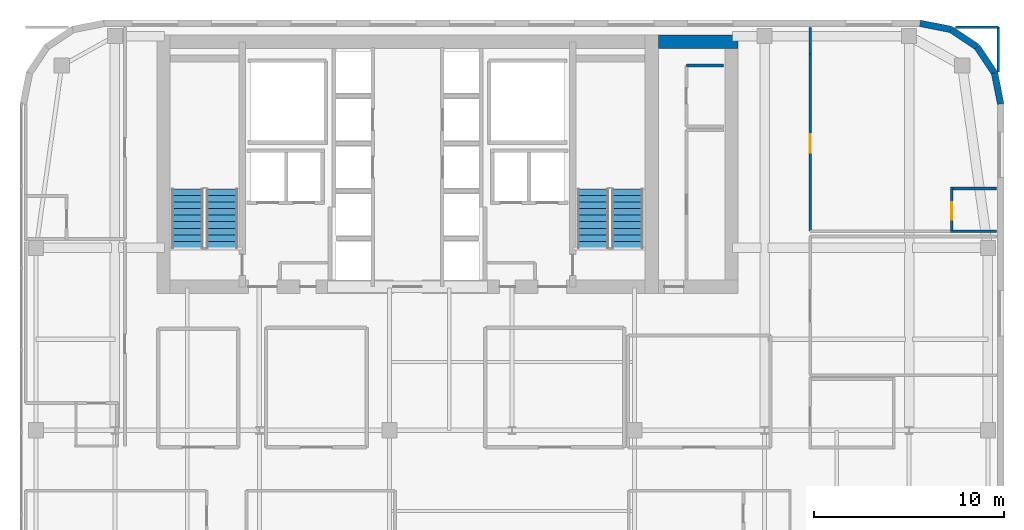
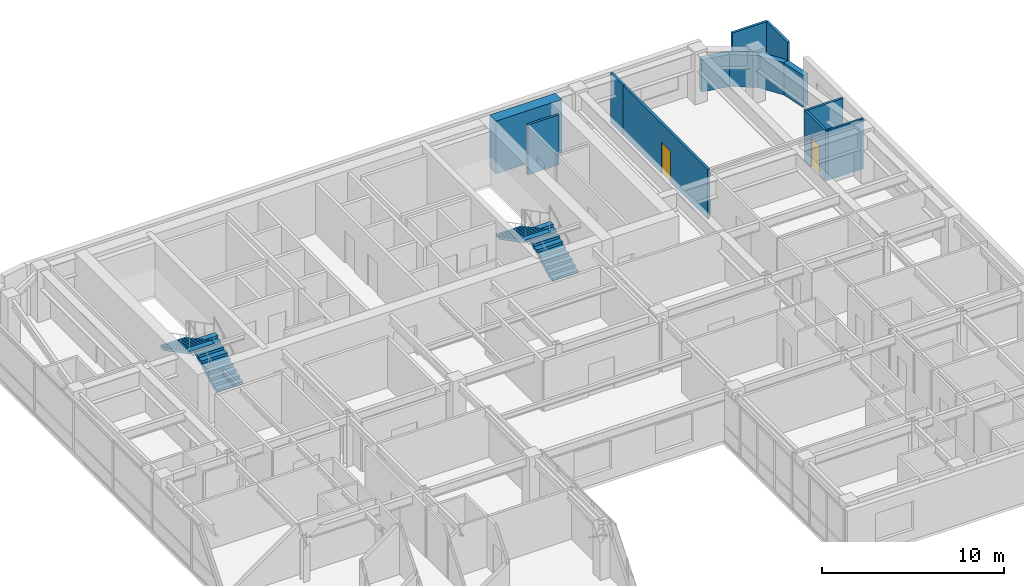
# One storey, part 23 of 24: 13 walls, 4 stair flights, 2 doors, 2 openings, 2 elements without a shape of their own.
"""IFC4 building model written with IfcOpenShell, lengths in metres."""

from ifc_helpers import new_model, si_unit, direction, frame, frame_2d, origin, place, context, subcontext, project, spatial, polyline, rectangle, outline, extrude, source, transform, mapped, material, layer, layer_set, type_object, type_shapes, element, fill, aggregate, save


model = new_model("IFC4")

# Units and contexts
model_context = context("Model", 3, precision=1e-05, world=origin(), true_north=direction((0.0, 1.0)))
body_context = subcontext(model_context, "Body", "Model", "MODEL_VIEW")
ifc_project = project(units=[si_unit("LENGTHUNIT", "METRE"), si_unit("AREAUNIT", "SQUARE_METRE"), si_unit("VOLUMEUNIT", "CUBIC_METRE"), si_unit("PLANEANGLEUNIT", "RADIAN"), si_unit("MASSUNIT", "GRAM", prefix="KILO")], contexts=[model_context])

# Site, building, storey
site_placement = place(None, origin())
site = spatial("IfcSite", under=ifc_project, at=site_placement, CompositionType="ELEMENT")
building_placement = place(site_placement, origin())
building = spatial("IfcBuilding", under=site, at=building_placement, Name="Tolvann Quenvar Hotel", CompositionType="ELEMENT")
storey_placement = place(building_placement, frame((0.0, 0.0, 157.699951171875)))
storey = spatial("IfcBuildingStorey", under=building, at=storey_placement, Name="L41", CompositionType="ELEMENT", Elevation=157.699951171875)

# Walls
ifc_material_1 = material(Name="Concrete S65 (65 MPa)", Category="concrete")
ifc_layer_1 = layer(ifc_material_1, 0.699951171875)
ifc_layer_set_1 = layer_set([ifc_layer_1], Name="Concrete S65 (65 MPa)")
wall_type_1 = type_object("IfcWallType", Name="WALL_CORE_700", PredefinedType="SHEAR", material=ifc_layer_set_1)
wall_1_placement = place(storey_placement, frame((36.199951171875, 44.85009765625, 0.0), z_axis=(0.0, 0.0, 1.0), x_axis=(1.0, 0.0, 0.0)))
element("IfcWall", 1, at=wall_1_placement, inside=storey, type_object=wall_type_1, Name="Core East Annex Shear Wall ANN-N (L41)", PredefinedType="SHEAR", context=body_context, shape_type="SweptSolid", body=[
    extrude(rectangle(XDim=4.199951171875, YDim=0.699951171875, at=frame_2d((2.10009765625, 0.0))), origin(), (0.0, 0.0, 1.0), 3.550048828125),
])
ifc_material_2 = material(Name="Kiln-fired red and buff architectural clay brickwork and terracotta masonry", Category="masonry")
ifc_layer_2 = layer(ifc_material_2, 0.35009765625)
ifc_layer_set_2 = layer_set([ifc_layer_2], Name="Kiln-fired red and buff architectural clay brickwork and terracotta masonry")
wall_type_2 = type_object("IfcWallType", Name="WALL_EXT_BRICK_350", PredefinedType="SOLIDWALL", material=ifc_layer_set_2)
wall_2_placement = place(storey_placement, frame((54.22509765625, 41.582763671875, 0.0), z_axis=(0.0, 0.0, 1.0), x_axis=(-0.195044345786, 0.980794424524, 0.0)))
element("IfcWall", 2, at=wall_2_placement, inside=storey, type_object=wall_type_2, Name="Exterior Chicago Brick Wall L41-E14", PredefinedType="SOLIDWALL", context=body_context, shape_type="SweptSolid", body=[
    extrude(rectangle(XDim=1.664794921875, YDim=0.35009765625, at=frame_2d((0.83251953125, 0.0))), origin(), (0.0, 0.0, 1.0), 2.16015625),
])
for number, where, z_axis, x_axis, name in (
    (3, (53.900390625, 43.215576171875, 0.0), (0.0, 0.0, 1.0), (-0.555623290322, 0.831434158098, 0.0), "Exterior Chicago Brick Wall L41-E15"),
    (4, (52.985107421875, 44.585205078125, 0.0), (0.0, 0.0, 1.0), (-0.831502623162, 0.555520825599, 0.0), "Exterior Chicago Brick Wall L41-E16"),
):
    element("IfcWall", number, at=place(storey_placement, frame(where, z_axis=z_axis, x_axis=x_axis)), inside=storey, type_object=wall_type_2, Name=name, PredefinedType="SOLIDWALL", context=body_context, shape_type="SweptSolid", body=[
        extrude(rectangle(XDim=1.647216796875, YDim=0.35009765625, at=frame_2d((0.82373046875, 0.0))), origin(), (0.0, 0.0, 1.0), 2.16015625),
    ])
wall_3_placement = place(storey_placement, frame((51.615478515625, 45.500244140625, 0.0), z_axis=(0.0, 0.0, 1.0), x_axis=(-0.980788844421, 0.195072403631, 0.0)))
element("IfcWall", 5, at=wall_3_placement, inside=storey, type_object=wall_type_2, Name="Exterior Chicago Brick Wall L41-E17", PredefinedType="SOLIDWALL", context=body_context, shape_type="SweptSolid", body=[
    extrude(rectangle(XDim=1.66455078125, YDim=0.35009765625, at=frame_2d((0.832275390625, 0.0))), origin(), (0.0, 0.0, 1.0), 2.16015625),
])
ifc_material_3 = material(Name="Moisture-resistant acoustic plumbing wall assembly")
ifc_layer_3 = layer(ifc_material_3, 0.1201171875)
ifc_layer_set_3 = layer_set([ifc_layer_3], Name="Moisture-resistant acoustic plumbing wall assembly")
wall_type_3 = type_object("IfcWallType", Name="WALL_PART_BATH_120", PredefinedType="PLUMBINGWALL", material=ifc_layer_set_3)
wall_4_placement = place(storey_placement, frame((51.580078125, 34.8798828125, 0.0), z_axis=(0.0, 0.0, 1.0), x_axis=(1.0, 0.0, 0.0)))
element("IfcWall", 6, at=wall_4_placement, inside=storey, type_object=wall_type_3, Name="Non-Rated Plumbing Partition PT-SPC-L41-ENS-NE01-S", PredefinedType="PLUMBINGWALL", context=body_context, shape_type="SweptSolid", body=[
    extrude(rectangle(XDim=2.4150390625, YDim=0.1201171875, at=frame_2d((1.20751953125, 0.0))), origin(), (0.0, 0.0, 1.0), 3.3701171875),
])

# Wall, opening, door
ifc_material_4 = material(Name="Acoustic twin-stud fire-rated gypsum plasterboard partition")
ifc_layer_4 = layer(ifc_material_4, 0.14990234375)
ifc_layer_set_4 = layer_set([ifc_layer_4], Name="Acoustic twin-stud fire-rated gypsum plasterboard partition")
wall_type_4 = type_object("IfcWallType", Name="WALL_PART_SUITE_150", PredefinedType="PARTITIONING", material=ifc_layer_set_4)
wall_5_placement = place(storey_placement, frame((51.64990234375, 34.81005859375, 0.0), z_axis=(0.0, 0.0, 1.0), x_axis=(0.0, 1.0, 0.0)))
wall_5 = element("IfcWall", 7, at=wall_5_placement, inside=storey, type_object=wall_type_4, Name="Interior Partition PT-SPC-L41-ENS-NE01-ENT", PredefinedType="PARTITIONING", context=body_context, shape_type="SweptSolid", body=[
    extrude(rectangle(XDim=2.389892578125, YDim=0.14990234375, at=frame_2d((1.19482421875, 0.0))), origin(), (0.0, 0.0, 1.0), 3.3701171875),
])
opening_1_placement = place(wall_5_placement, frame((0.6650390625, 0.0, 0.0)))
opening_1 = element("IfcOpeningElement", 8, at=opening_1_placement, cuts=wall_5, Name="Opening WD-01", PredefinedType="OPENING", context=body_context, shape_type="SweptSolid", body=[
    extrude(rectangle(XDim=0.919921875, YDim=2.010009765625, at=frame_2d((0.4599609375, 1.0048828125))), frame((0.0, 0.0849609375, 0.0), z_axis=(0.0, -1.0, 0.0), x_axis=(1.0, 0.0, 0.0)), (0.0, 0.0, 1.0), 0.169921875),
])
ifc_material_5 = material(Name="Solid-core American oak acoustic fire door leaf in steel frame", Category="steel")
door_type_1 = type_object("IfcDoorType", Name="DOOR_WC_920", OperationType="NOTDEFINED", PredefinedType="DOOR", material=ifc_material_5)
shared_shape_1 = source(origin(), body_context, "Body", "SweptSolid", [
    extrude(rectangle(XDim=0.919921875, YDim=2.010009765625, at=frame_2d((0.4599609375, 1.0048828125))), frame((0.0, 0.02490234375, 0.0), z_axis=(0.0, -1.0, 0.0), x_axis=(1.0, 0.0, 0.0)), (0.0, 0.0, 1.0), 0.050048828125),
])
type_shapes(door_type_1, [shared_shape_1])
door_1_placement = place(opening_1_placement, origin())
door_1 = element("IfcDoor", 9, at=door_1_placement, inside=storey, type_object=door_type_1, Name="Interior Door DOOR-SPC-L41-ENS-NE01", OperationType="SINGLE_SWING_RIGHT", OverallHeight=2.010009765625, OverallWidth=0.919921875, PredefinedType="DOOR", context=body_context, shape_type="MappedRepresentation", body=[
    mapped(shared_shape_1, transform((0.0, 0.0, 0.0), x_axis=(1.0, 0.0, 0.0), y_axis=(0.0, 1.0, 0.0), z_axis=(0.0, 0.0, 1.0), scale=1.0)),
])
fill(opening_1, door_1)

# Walls
wall_6_placement = place(storey_placement, frame((51.580078125, 37.1298828125, 0.0), z_axis=(0.0, 0.0, 1.0), x_axis=(1.0, 0.0, 0.0)))
element("IfcWall", 10, at=wall_6_placement, inside=storey, type_object=wall_type_4, Name="Interior Partition PT-SPC-L41-ENS-NE01-N", PredefinedType="PARTITIONING", context=body_context, shape_type="SweptSolid", body=[
    extrude(rectangle(XDim=2.4150390625, YDim=0.14990234375, at=frame_2d((1.20751953125, 0.0))), origin(), (0.0, 0.0, 1.0), 3.3701171875),
])
wall_7_placement = place(storey_placement, frame((37.679931640625, 43.60009765625, 0.0), z_axis=(0.0, 0.0, 1.0), x_axis=(1.0, 0.0, 0.0)))
element("IfcWall", 11, at=wall_7_placement, inside=storey, type_object=wall_type_4, Name="Interior Partition PT-SPC-L41-CSE-1-N", PredefinedType="PARTITIONING", context=body_context, shape_type="SweptSolid", body=[
    extrude(rectangle(XDim=1.965087890625, YDim=0.14990234375, at=frame_2d((0.982421875, 0.0))), origin(), (0.0, 0.0, 1.0), 3.3701171875),
])

# Wall, opening, door
wall_8_placement = place(storey_placement, frame((44.199951171875, 34.8798828125, 0.0), z_axis=(0.0, 0.0, 1.0), x_axis=(0.0, 1.0, 0.0)))
wall_8 = element("IfcWall", 12, at=wall_8_placement, inside=storey, type_object=wall_type_4, Name="Interior Partition PT-SPC-L41-RM-NE01-ENT", PredefinedType="PARTITIONING", context=body_context, shape_type="SweptSolid", body=[
    extrude(rectangle(XDim=9.330078125, YDim=0.14990234375, at=frame_2d((4.6650390625, 0.0))), origin(), (0.0, 0.0, 1.0), 3.3701171875),
])
opening_2_placement = place(wall_8_placement, frame((4.1201171875, 0.0, 0.0)))
opening_2 = element("IfcOpeningElement", 13, at=opening_2_placement, cuts=wall_8, Name="Opening SD-01", PredefinedType="OPENING", context=body_context, shape_type="SweptSolid", body=[
    extrude(rectangle(XDim=0.97998046875, YDim=2.1201171875, at=frame_2d((0.489990234375, 1.06005859375))), frame((0.0, 0.0849609375, 0.0), z_axis=(0.0, -1.0, 0.0), x_axis=(1.0, 0.0, 0.0)), (0.0, 0.0, 1.0), 0.169921875),
])
door_type_2 = type_object("IfcDoorType", Name="DOOR_SUITE_980", OperationType="NOTDEFINED", PredefinedType="DOOR", material=ifc_material_5)
shared_shape_2 = source(origin(), body_context, "Body", "SweptSolid", [
    extrude(rectangle(XDim=0.97998046875, YDim=2.1201171875, at=frame_2d((0.489990234375, 1.06005859375))), frame((0.0, 0.02490234375, 0.0), z_axis=(0.0, -1.0, 0.0), x_axis=(1.0, 0.0, 0.0)), (0.0, 0.0, 1.0), 0.050048828125),
])
type_shapes(door_type_2, [shared_shape_2])
door_2_placement = place(opening_2_placement, origin())
door_2 = element("IfcDoor", 14, at=door_2_placement, inside=storey, type_object=door_type_2, Name="Interior Door DOOR-SPC-L41-RM-NE01", OperationType="SINGLE_SWING_LEFT", OverallHeight=2.1201171875, OverallWidth=0.97998046875, PredefinedType="DOOR", context=body_context, shape_type="MappedRepresentation", body=[
    mapped(shared_shape_2, transform((0.0, 0.0, 0.0), x_axis=(1.0, 0.0, 0.0), y_axis=(0.0, 1.0, 0.0), z_axis=(0.0, 0.0, 1.0), scale=1.0)),
])
fill(opening_2, door_2)

# Walls
wall_9_placement = place(storey_placement, frame((54.10009765625, 43.2548828125, 0.0), z_axis=(0.0, 0.0, 1.0), x_axis=(0.0, 1.0, 0.0)))
element("IfcWall", 15, at=wall_9_placement, inside=storey, type_object=wall_type_4, Name="Interior Partition PT-SPC-L41-RM-NE01-E4", PredefinedType="PARTITIONING", context=body_context, shape_type="SweptSolid", body=[
    extrude(rectangle(XDim=2.365234375, YDim=0.14990234375, at=frame_2d((1.1826171875, 0.0))), origin(), (0.0, 0.0, 1.0), 3.3701171875),
])
wall_10_placement = place(storey_placement, frame((51.85009765625, 45.6201171875, 0.0), z_axis=(0.0, 0.0, 1.0), x_axis=(1.0, 0.0, 0.0)))
element("IfcWall", 16, at=wall_10_placement, inside=storey, type_object=wall_type_4, Name="Interior Partition PT-SPC-L41-RM-NE01-E5", PredefinedType="PARTITIONING", context=body_context, shape_type="SweptSolid", body=[
    extrude(rectangle(XDim=2.25, YDim=0.14990234375, at=frame_2d((1.125, 0.0))), origin(), (0.0, 0.0, 1.0), 3.3701171875),
])
wall_11_placement = place(storey_placement, frame((44.199951171875, 44.219970703125, 0.0), z_axis=(0.0, 0.0, 1.0), x_axis=(0.0, 1.0, 0.0)))
element("IfcWall", 17, at=wall_11_placement, inside=storey, type_object=wall_type_4, Name="Interior Partition PT-SPC-L41-RM-NE01-E6", PredefinedType="PARTITIONING", context=body_context, shape_type="SweptSolid", body=[
    extrude(rectangle(XDim=1.375, YDim=0.14990234375, at=frame_2d((0.6875, 0.0))), origin(), (0.0, 0.0, 1.0), 3.3701171875),
])

# Stair, stair flights
ifc_material_6 = material(Name="Concrete N40 (40 MPa)", Category="concrete")
stair_type = type_object("IfcStairType", Name="STAIR", PredefinedType="HALF_TURN_STAIR", material=ifc_material_6)
stair_1_placement = place(storey_placement, origin())
stair_1 = element("IfcStair", 18, at=stair_1_placement, inside=storey, type_object=stair_type, Name="L41 ST-C1", PredefinedType="HALF_TURN_STAIR")
stair_flight_type = type_object("IfcStairFlightType", Name="STAIR_FLIGHT", PredefinedType="STRAIGHT", material=ifc_material_6)
stair_flight_1_placement = place(storey_placement, frame((13.22509765625, 34.0, 0.0), z_axis=(0.0, 0.0, 1.0), x_axis=(0.0, 1.0, 0.0)))
stair_flight_1 = element("IfcStairFlight", 19, at=stair_flight_1_placement, type_object=stair_flight_type, Name="ST-C1 flight 1", NumberOfRisers=10, NumberOfTreads=9, PredefinedType="STRAIGHT", RiserHeight=0.1775, TreadLength=0.345, context=body_context, shape_type="SweptSolid", body=[
    extrude(outline(polyline([(0.0, 0.0), (0.0, 0.177490234375), (0.344970703125, 0.177490234375), (0.344970703125, 0.35498046875), (0.68994140625, 0.35498046875), (0.68994140625, 0.532470703125), (1.034912109375, 0.532470703125), (1.034912109375, 0.7099609375), (1.3798828125, 0.7099609375), (1.3798828125, 0.887451171875), (1.72509765625, 0.887451171875), (1.72509765625, 1.06494140625), (2.070068359375, 1.06494140625), (2.070068359375, 1.242431640625), (2.4150390625, 1.242431640625), (2.4150390625, 1.419921875), (2.760009765625, 1.419921875), (2.760009765625, 1.597412109375), (3.10498046875, 1.597412109375), (3.10498046875, 1.77490234375), (3.10498046875, 1.428955078125), (0.32763671875, 0.0), (0.0, 0.0)])), frame((0.0, 0.824951171875, 0.0), z_axis=(0.0, -1.0, 0.0), x_axis=(1.0, 0.0, 0.0)), (0.0, 0.0, 1.0), 1.64990234375),
])
stair_flight_2_placement = place(storey_placement, frame((11.425048828125, 37.10498046875, 1.775146484375), z_axis=(0.0, 0.0, 1.0), x_axis=(0.0, -1.0, 0.0)))
stair_flight_2 = element("IfcStairFlight", 20, at=stair_flight_2_placement, type_object=stair_flight_type, Name="ST-C1 flight 2", NumberOfRisers=10, NumberOfTreads=9, PredefinedType="STRAIGHT", RiserHeight=0.1775, TreadLength=0.345, context=body_context, shape_type="SweptSolid", body=[
    extrude(outline(polyline([(0.0, 0.0), (0.0, 0.177490234375), (0.344970703125, 0.177490234375), (0.344970703125, 0.35498046875), (0.68994140625, 0.35498046875), (0.68994140625, 0.532470703125), (1.034912109375, 0.532470703125), (1.034912109375, 0.7099609375), (1.3798828125, 0.7099609375), (1.3798828125, 0.887451171875), (1.72509765625, 0.887451171875), (1.72509765625, 1.06494140625), (2.070068359375, 1.06494140625), (2.070068359375, 1.242431640625), (2.4150390625, 1.242431640625), (2.4150390625, 1.419921875), (2.760009765625, 1.419921875), (2.760009765625, 1.597412109375), (3.10498046875, 1.597412109375), (3.10498046875, 1.77490234375), (3.10498046875, 1.428955078125), (0.32763671875, 0.0), (0.0, 0.0)])), frame((0.0, 0.824951171875, 0.0), z_axis=(0.0, -1.0, 0.0), x_axis=(1.0, 0.0, 0.0)), (0.0, 0.0, 1.0), 1.64990234375),
])
aggregate(stair_1, [stair_flight_1, stair_flight_2])

stair_2_placement = place(storey_placement, origin())
stair_2 = element("IfcStair", 21, at=stair_2_placement, inside=storey, type_object=stair_type, Name="L41 ST-C2", PredefinedType="HALF_TURN_STAIR")
stair_flight_3_placement = place(storey_placement, frame((34.574951171875, 34.0, 0.0), z_axis=(0.0, 0.0, 1.0), x_axis=(0.0, 1.0, 0.0)))
stair_flight_3 = element("IfcStairFlight", 22, at=stair_flight_3_placement, type_object=stair_flight_type, Name="ST-C2 flight 1", NumberOfRisers=10, NumberOfTreads=9, PredefinedType="STRAIGHT", RiserHeight=0.1775, TreadLength=0.345, context=body_context, shape_type="SweptSolid", body=[
    extrude(outline(polyline([(0.0, 0.0), (0.0, 0.177490234375), (0.344970703125, 0.177490234375), (0.344970703125, 0.35498046875), (0.68994140625, 0.35498046875), (0.68994140625, 0.532470703125), (1.034912109375, 0.532470703125), (1.034912109375, 0.7099609375), (1.3798828125, 0.7099609375), (1.3798828125, 0.887451171875), (1.72509765625, 0.887451171875), (1.72509765625, 1.06494140625), (2.070068359375, 1.06494140625), (2.070068359375, 1.242431640625), (2.4150390625, 1.242431640625), (2.4150390625, 1.419921875), (2.760009765625, 1.419921875), (2.760009765625, 1.597412109375), (3.10498046875, 1.597412109375), (3.10498046875, 1.77490234375), (3.10498046875, 1.428955078125), (0.32763671875, 0.0), (0.0, 0.0)])), frame((0.0, 0.824951171875, 0.0), z_axis=(0.0, -1.0, 0.0), x_axis=(1.0, 0.0, 0.0)), (0.0, 0.0, 1.0), 1.64990234375),
])
stair_flight_4_placement = place(storey_placement, frame((32.77490234375, 37.10498046875, 1.775146484375), z_axis=(0.0, 0.0, 1.0), x_axis=(0.0, -1.0, 0.0)))
stair_flight_4 = element("IfcStairFlight", 23, at=stair_flight_4_placement, type_object=stair_flight_type, Name="ST-C2 flight 2", NumberOfRisers=10, NumberOfTreads=9, PredefinedType="STRAIGHT", RiserHeight=0.1775, TreadLength=0.345, context=body_context, shape_type="SweptSolid", body=[
    extrude(outline(polyline([(0.0, 0.0), (0.0, 0.177490234375), (0.344970703125, 0.177490234375), (0.344970703125, 0.35498046875), (0.68994140625, 0.35498046875), (0.68994140625, 0.532470703125), (1.034912109375, 0.532470703125), (1.034912109375, 0.7099609375), (1.3798828125, 0.7099609375), (1.3798828125, 0.887451171875), (1.72509765625, 0.887451171875), (1.72509765625, 1.06494140625), (2.070068359375, 1.06494140625), (2.070068359375, 1.242431640625), (2.4150390625, 1.242431640625), (2.4150390625, 1.419921875), (2.760009765625, 1.419921875), (2.760009765625, 1.597412109375), (3.10498046875, 1.597412109375), (3.10498046875, 1.77490234375), (3.10498046875, 1.428955078125), (0.32763671875, 0.0), (0.0, 0.0)])), frame((0.0, 0.824951171875, 0.0), z_axis=(0.0, -1.0, 0.0), x_axis=(1.0, 0.0, 0.0)), (0.0, 0.0, 1.0), 1.64990234375),
])
aggregate(stair_2, [stair_flight_3, stair_flight_4])

save(model, "model.ifc")
